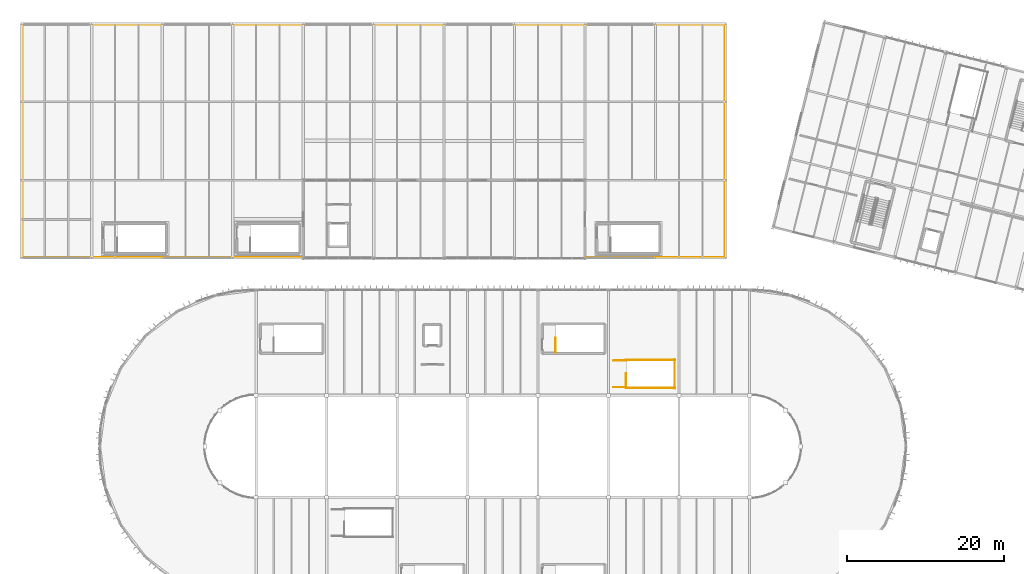
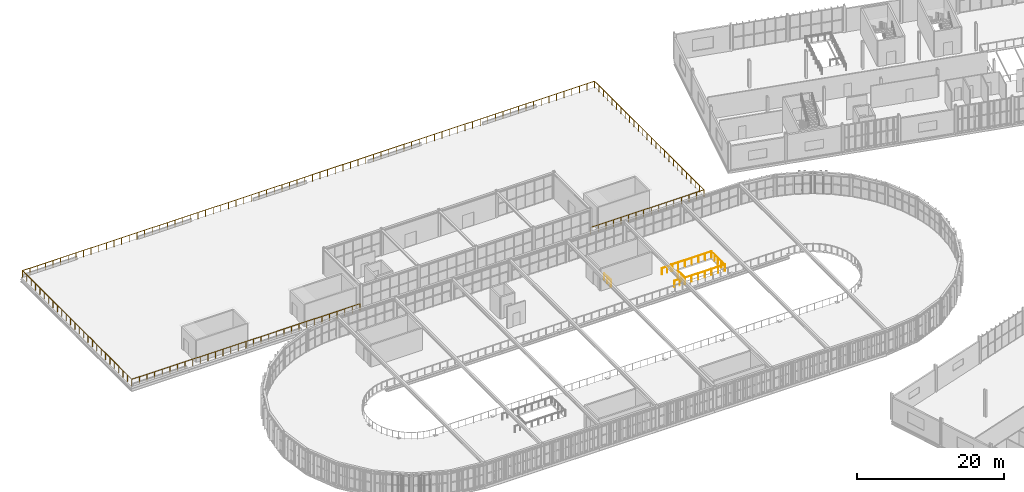
# One storey, part 147 of 152: 8 railings.
"""IFC4 building model written with IfcOpenShell, lengths in metres."""

from ifc_helpers import new_model, si_unit, derived_unit, direction, frame, origin, origin_2d, place, context, subcontext, project, spatial, circle, extrude, material, type_object, element, save


model = new_model("IFC4")

# Units and contexts
model_context = context("Model", 3, precision=1e-05, world=origin(), true_north=direction((0.0, 1.0)))
body_context = subcontext(model_context, "Body", "Model", "MODEL_VIEW")
ifc_project = project(units=[si_unit("LENGTHUNIT", "METRE"), si_unit("AREAUNIT", "SQUARE_METRE"), si_unit("VOLUMEUNIT", "CUBIC_METRE"), si_unit("PLANEANGLEUNIT", "RADIAN"), si_unit("MASSUNIT", "GRAM", prefix="KILO"), si_unit("THERMODYNAMICTEMPERATUREUNIT", "KELVIN"), si_unit("TIMEUNIT", "SECOND"), derived_unit("THERMALTRANSMITTANCEUNIT", [(si_unit("MASSUNIT", "GRAM", prefix="KILO"), 1), (si_unit("THERMODYNAMICTEMPERATUREUNIT", "KELVIN"), -1), (si_unit("TIMEUNIT", "SECOND"), -3)])], contexts=[model_context])

# Site, building, storey
site_placement = place(None, origin())
site = spatial("IfcSite", under=ifc_project, at=site_placement, CompositionType="ELEMENT")
building_placement = place(site_placement, origin())
building = spatial("IfcBuilding", under=site, at=building_placement, Name="Cambertide Market Hall", CompositionType="ELEMENT")
storey_placement = place(building_placement, frame((0.0, 0.0, 5.39990234375)))
storey = spatial("IfcBuildingStorey", under=building, at=storey_placement, Name="L02", CompositionType="ELEMENT", Elevation=5.39990234375)

# Railings
ifc_material_1 = material(Name="Stainless Steel Grade 316", Category="metal")
railing_type_1 = type_object("IfcRailingType", Name="Exterior Terrace Balustrade Guardrail 1120", PredefinedType="GUARDRAIL", material=ifc_material_1)
railing_1_placement = place(storey_placement, frame((47.89990234375, 96.14990234375, 0.0)))
element("IfcRailing", 1, at=railing_1_placement, inside=storey, type_object=railing_type_1, Name="Level 2 Planted Herb Terrace Guardrail", PredefinedType="GUARDRAIL", context=body_context, shape_type="SweptSolid", body=[
    extrude(circle(Radius=0.02392578125, at=origin_2d()), frame((0.0, 0.0, 1.09619140625), z_axis=(-1.0, 0.0, 0.0), x_axis=(0.0, -1.0, 0.0)), (0.0, 0.0, 1.0), 35.75),
    extrude(circle(Radius=0.02392578125, at=origin_2d()), frame((-35.75, 0.0, 1.09619140625), z_axis=(0.0, 1.0, 0.0), x_axis=(-1.0, 0.0, 0.0)), (0.0, 0.0, 1.0), 29.7001953125),
    extrude(circle(Radius=0.02392578125, at=origin_2d()), frame((-35.75, 29.7001953125, 1.09619140625), z_axis=(1.0, 0.0, 0.0), x_axis=(0.0, 1.0, 0.0)), (0.0, 0.0, 1.0), 89.7001953125),
    extrude(circle(Radius=0.02392578125, at=origin_2d()), frame((53.9501953125, 29.7001953125, 1.09619140625), z_axis=(0.0, -1.0, 0.0), x_axis=(1.0, 0.0, 0.0)), (0.0, 0.0, 1.0), 29.7001953125),
    extrude(circle(Radius=0.02392578125, at=origin_2d()), frame((53.9501953125, 0.0, 1.09619140625), z_axis=(-1.0, 0.0, 0.0), x_axis=(0.0, -1.0, 0.0)), (0.0, 0.0, 1.0), 17.75),
    extrude(circle(Radius=0.02099609375, at=origin_2d()), origin(), (0.0, 0.0, 1.0), 1.072021484375),
    extrude(circle(Radius=0.02099609375, at=origin_2d()), frame((-1.191650390625, 0.0, 0.0)), (0.0, 0.0, 1.0), 1.072021484375),
    extrude(circle(Radius=0.02099609375, at=origin_2d()), frame((-2.38330078125, 0.0, 0.0)), (0.0, 0.0, 1.0), 1.072021484375),
    extrude(circle(Radius=0.02099609375, at=origin_2d()), frame((-3.574951171875, 0.0, 0.0)), (0.0, 0.0, 1.0), 1.072021484375),
    extrude(circle(Radius=0.02099609375, at=origin_2d()), frame((-4.7666015625, 0.0, 0.0)), (0.0, 0.0, 1.0), 1.072021484375),
    extrude(circle(Radius=0.02099609375, at=origin_2d()), frame((-5.958251953125, 0.0, 0.0)), (0.0, 0.0, 1.0), 1.072021484375),
    extrude(circle(Radius=0.02099609375, at=origin_2d()), frame((-7.14990234375, 0.0, 0.0)), (0.0, 0.0, 1.0), 1.072021484375),
    extrude(circle(Radius=0.02099609375, at=origin_2d()), frame((-8.341552734375, 0.0, 0.0)), (0.0, 0.0, 1.0), 1.072021484375),
    extrude(circle(Radius=0.02099609375, at=origin_2d()), frame((-9.533447265625, 0.0, 0.0)), (0.0, 0.0, 1.0), 1.072021484375),
    extrude(circle(Radius=0.02099609375, at=origin_2d()), frame((-10.72509765625, 0.0, 0.0)), (0.0, 0.0, 1.0), 1.072021484375),
    extrude(circle(Radius=0.02099609375, at=origin_2d()), frame((-11.916748046875, 0.0, 0.0)), (0.0, 0.0, 1.0), 1.072021484375),
    extrude(circle(Radius=0.02099609375, at=origin_2d()), frame((-13.1083984375, 0.0, 0.0)), (0.0, 0.0, 1.0), 1.072021484375),
    extrude(circle(Radius=0.02099609375, at=origin_2d()), frame((-14.300048828125, 0.0, 0.0)), (0.0, 0.0, 1.0), 1.072021484375),
    extrude(circle(Radius=0.02099609375, at=origin_2d()), frame((-15.49169921875, 0.0, 0.0)), (0.0, 0.0, 1.0), 1.072021484375),
    extrude(circle(Radius=0.02099609375, at=origin_2d()), frame((-16.683349609375, 0.0, 0.0)), (0.0, 0.0, 1.0), 1.072021484375),
    extrude(circle(Radius=0.02099609375, at=origin_2d()), frame((-17.875, 0.0, 0.0)), (0.0, 0.0, 1.0), 1.072021484375),
    extrude(circle(Radius=0.02099609375, at=origin_2d()), frame((-19.066650390625, 0.0, 0.0)), (0.0, 0.0, 1.0), 1.072021484375),
    extrude(circle(Radius=0.02099609375, at=origin_2d()), frame((-20.25830078125, 0.0, 0.0)), (0.0, 0.0, 1.0), 1.072021484375),
    extrude(circle(Radius=0.02099609375, at=origin_2d()), frame((-21.449951171875, 0.0, 0.0)), (0.0, 0.0, 1.0), 1.072021484375),
    extrude(circle(Radius=0.02099609375, at=origin_2d()), frame((-22.6416015625, 0.0, 0.0)), (0.0, 0.0, 1.0), 1.072021484375),
    extrude(circle(Radius=0.02099609375, at=origin_2d()), frame((-23.833251953125, 0.0, 0.0)), (0.0, 0.0, 1.0), 1.072021484375),
    extrude(circle(Radius=0.02099609375, at=origin_2d()), frame((-25.02490234375, 0.0, 0.0)), (0.0, 0.0, 1.0), 1.072021484375),
    extrude(circle(Radius=0.02099609375, at=origin_2d()), frame((-26.216552734375, 0.0, 0.0)), (0.0, 0.0, 1.0), 1.072021484375),
    extrude(circle(Radius=0.02099609375, at=origin_2d()), frame((-27.408447265625, 0.0, 0.0)), (0.0, 0.0, 1.0), 1.072021484375),
    extrude(circle(Radius=0.02099609375, at=origin_2d()), frame((-28.60009765625, 0.0, 0.0)), (0.0, 0.0, 1.0), 1.072021484375),
    extrude(circle(Radius=0.02099609375, at=origin_2d()), frame((-29.791748046875, 0.0, 0.0)), (0.0, 0.0, 1.0), 1.072021484375),
    extrude(circle(Radius=0.02099609375, at=origin_2d()), frame((-30.9833984375, 0.0, 0.0)), (0.0, 0.0, 1.0), 1.072021484375),
    extrude(circle(Radius=0.02099609375, at=origin_2d()), frame((-32.175048828125, 0.0, 0.0)), (0.0, 0.0, 1.0), 1.072021484375),
    extrude(circle(Radius=0.02099609375, at=origin_2d()), frame((-33.36669921875, 0.0, 0.0)), (0.0, 0.0, 1.0), 1.072021484375),
    extrude(circle(Radius=0.02099609375, at=origin_2d()), frame((-34.558349609375, 0.0, 0.0)), (0.0, 0.0, 1.0), 1.072021484375),
    extrude(circle(Radius=0.02099609375, at=origin_2d()), frame((-35.75, 0.0, 0.0)), (0.0, 0.0, 1.0), 1.072021484375),
    extrude(circle(Radius=0.02099609375, at=origin_2d()), frame((-35.75, 1.18798828125, 0.0)), (0.0, 0.0, 1.0), 1.072021484375),
    extrude(circle(Radius=0.02099609375, at=origin_2d()), frame((-35.75, 2.3759765625, 0.0)), (0.0, 0.0, 1.0), 1.072021484375),
    extrude(circle(Radius=0.02099609375, at=origin_2d()), frame((-35.75, 3.56396484375, 0.0)), (0.0, 0.0, 1.0), 1.072021484375),
    extrude(circle(Radius=0.02099609375, at=origin_2d()), frame((-35.75, 4.751953125, 0.0)), (0.0, 0.0, 1.0), 1.072021484375),
    extrude(circle(Radius=0.02099609375, at=origin_2d()), frame((-35.75, 5.93994140625, 0.0)), (0.0, 0.0, 1.0), 1.072021484375),
    extrude(circle(Radius=0.02099609375, at=origin_2d()), frame((-35.75, 7.1279296875, 0.0)), (0.0, 0.0, 1.0), 1.072021484375),
    extrude(circle(Radius=0.02099609375, at=origin_2d()), frame((-35.75, 8.316162109375, 0.0)), (0.0, 0.0, 1.0), 1.072021484375),
    extrude(circle(Radius=0.02099609375, at=origin_2d()), frame((-35.75, 9.504150390625, 0.0)), (0.0, 0.0, 1.0), 1.072021484375),
    extrude(circle(Radius=0.02099609375, at=origin_2d()), frame((-35.75, 10.692138671875, 0.0)), (0.0, 0.0, 1.0), 1.072021484375),
    extrude(circle(Radius=0.02099609375, at=origin_2d()), frame((-35.75, 11.880126953125, 0.0)), (0.0, 0.0, 1.0), 1.072021484375),
    extrude(circle(Radius=0.02099609375, at=origin_2d()), frame((-35.75, 13.068115234375, 0.0)), (0.0, 0.0, 1.0), 1.072021484375),
    extrude(circle(Radius=0.02099609375, at=origin_2d()), frame((-35.75, 14.256103515625, 0.0)), (0.0, 0.0, 1.0), 1.072021484375),
    extrude(circle(Radius=0.02099609375, at=origin_2d()), frame((-35.75, 15.444091796875, 0.0)), (0.0, 0.0, 1.0), 1.072021484375),
    extrude(circle(Radius=0.02099609375, at=origin_2d()), frame((-35.75, 16.632080078125, 0.0)), (0.0, 0.0, 1.0), 1.072021484375),
    extrude(circle(Radius=0.02099609375, at=origin_2d()), frame((-35.75, 17.820068359375, 0.0)), (0.0, 0.0, 1.0), 1.072021484375),
    extrude(circle(Radius=0.02099609375, at=origin_2d()), frame((-35.75, 19.008056640625, 0.0)), (0.0, 0.0, 1.0), 1.072021484375),
    extrude(circle(Radius=0.02099609375, at=origin_2d()), frame((-35.75, 20.196044921875, 0.0)), (0.0, 0.0, 1.0), 1.072021484375),
    extrude(circle(Radius=0.02099609375, at=origin_2d()), frame((-35.75, 21.384033203125, 0.0)), (0.0, 0.0, 1.0), 1.072021484375),
    extrude(circle(Radius=0.02099609375, at=origin_2d()), frame((-35.75, 22.572265625, 0.0)), (0.0, 0.0, 1.0), 1.072021484375),
    extrude(circle(Radius=0.02099609375, at=origin_2d()), frame((-35.75, 23.76025390625, 0.0)), (0.0, 0.0, 1.0), 1.072021484375),
    extrude(circle(Radius=0.02099609375, at=origin_2d()), frame((-35.75, 24.9482421875, 0.0)), (0.0, 0.0, 1.0), 1.072021484375),
    extrude(circle(Radius=0.02099609375, at=origin_2d()), frame((-35.75, 26.13623046875, 0.0)), (0.0, 0.0, 1.0), 1.072021484375),
    extrude(circle(Radius=0.02099609375, at=origin_2d()), frame((-35.75, 27.32421875, 0.0)), (0.0, 0.0, 1.0), 1.072021484375),
    extrude(circle(Radius=0.02099609375, at=origin_2d()), frame((-35.75, 28.51220703125, 0.0)), (0.0, 0.0, 1.0), 1.072021484375),
    extrude(circle(Radius=0.02099609375, at=origin_2d()), frame((-35.75, 29.7001953125, 0.0)), (0.0, 0.0, 1.0), 1.072021484375),
    extrude(circle(Radius=0.02099609375, at=origin_2d()), frame((-34.553955078125, 29.7001953125, 0.0)), (0.0, 0.0, 1.0), 1.072021484375),
    extrude(circle(Radius=0.02099609375, at=origin_2d()), frame((-33.35791015625, 29.7001953125, 0.0)), (0.0, 0.0, 1.0), 1.072021484375),
    extrude(circle(Radius=0.02099609375, at=origin_2d()), frame((-32.162109375, 29.7001953125, 0.0)), (0.0, 0.0, 1.0), 1.072021484375),
    extrude(circle(Radius=0.02099609375, at=origin_2d()), frame((-30.966064453125, 29.7001953125, 0.0)), (0.0, 0.0, 1.0), 1.072021484375),
    extrude(circle(Radius=0.02099609375, at=origin_2d()), frame((-29.77001953125, 29.7001953125, 0.0)), (0.0, 0.0, 1.0), 1.072021484375),
    extrude(circle(Radius=0.02099609375, at=origin_2d()), frame((-28.573974609375, 29.7001953125, 0.0)), (0.0, 0.0, 1.0), 1.072021484375),
    extrude(circle(Radius=0.02099609375, at=origin_2d()), frame((-27.3779296875, 29.7001953125, 0.0)), (0.0, 0.0, 1.0), 1.072021484375),
    extrude(circle(Radius=0.02099609375, at=origin_2d()), frame((-26.181884765625, 29.7001953125, 0.0)), (0.0, 0.0, 1.0), 1.072021484375),
    extrude(circle(Radius=0.02099609375, at=origin_2d()), frame((-24.986083984375, 29.7001953125, 0.0)), (0.0, 0.0, 1.0), 1.072021484375),
    extrude(circle(Radius=0.02099609375, at=origin_2d()), frame((-23.7900390625, 29.7001953125, 0.0)), (0.0, 0.0, 1.0), 1.072021484375),
    extrude(circle(Radius=0.02099609375, at=origin_2d()), frame((-22.593994140625, 29.7001953125, 0.0)), (0.0, 0.0, 1.0), 1.072021484375),
    extrude(circle(Radius=0.02099609375, at=origin_2d()), frame((-21.39794921875, 29.7001953125, 0.0)), (0.0, 0.0, 1.0), 1.072021484375),
    extrude(circle(Radius=0.02099609375, at=origin_2d()), frame((-20.201904296875, 29.7001953125, 0.0)), (0.0, 0.0, 1.0), 1.072021484375),
    extrude(circle(Radius=0.02099609375, at=origin_2d()), frame((-19.005859375, 29.7001953125, 0.0)), (0.0, 0.0, 1.0), 1.072021484375),
    extrude(circle(Radius=0.02099609375, at=origin_2d()), frame((-17.81005859375, 29.7001953125, 0.0)), (0.0, 0.0, 1.0), 1.072021484375),
    extrude(circle(Radius=0.02099609375, at=origin_2d()), frame((-16.614013671875, 29.7001953125, 0.0)), (0.0, 0.0, 1.0), 1.072021484375),
    extrude(circle(Radius=0.02099609375, at=origin_2d()), frame((-15.41796875, 29.7001953125, 0.0)), (0.0, 0.0, 1.0), 1.072021484375),
    extrude(circle(Radius=0.02099609375, at=origin_2d()), frame((-14.221923828125, 29.7001953125, 0.0)), (0.0, 0.0, 1.0), 1.072021484375),
    extrude(circle(Radius=0.02099609375, at=origin_2d()), frame((-13.02587890625, 29.7001953125, 0.0)), (0.0, 0.0, 1.0), 1.072021484375),
    extrude(circle(Radius=0.02099609375, at=origin_2d()), frame((-11.829833984375, 29.7001953125, 0.0)), (0.0, 0.0, 1.0), 1.072021484375),
    extrude(circle(Radius=0.02099609375, at=origin_2d()), frame((-10.634033203125, 29.7001953125, 0.0)), (0.0, 0.0, 1.0), 1.072021484375),
    extrude(circle(Radius=0.02099609375, at=origin_2d()), frame((-9.43798828125, 29.7001953125, 0.0)), (0.0, 0.0, 1.0), 1.072021484375),
    extrude(circle(Radius=0.02099609375, at=origin_2d()), frame((-8.241943359375, 29.7001953125, 0.0)), (0.0, 0.0, 1.0), 1.072021484375),
    extrude(circle(Radius=0.02099609375, at=origin_2d()), frame((-7.0458984375, 29.7001953125, 0.0)), (0.0, 0.0, 1.0), 1.072021484375),
    extrude(circle(Radius=0.02099609375, at=origin_2d()), frame((-5.849853515625, 29.7001953125, 0.0)), (0.0, 0.0, 1.0), 1.072021484375),
    extrude(circle(Radius=0.02099609375, at=origin_2d()), frame((-4.654052734375, 29.7001953125, 0.0)), (0.0, 0.0, 1.0), 1.072021484375),
    extrude(circle(Radius=0.02099609375, at=origin_2d()), frame((-3.4580078125, 29.7001953125, 0.0)), (0.0, 0.0, 1.0), 1.072021484375),
    extrude(circle(Radius=0.02099609375, at=origin_2d()), frame((-2.261962890625, 29.7001953125, 0.0)), (0.0, 0.0, 1.0), 1.072021484375),
    extrude(circle(Radius=0.02099609375, at=origin_2d()), frame((-1.06591796875, 29.7001953125, 0.0)), (0.0, 0.0, 1.0), 1.072021484375),
    extrude(circle(Radius=0.02099609375, at=origin_2d()), frame((0.130126953125, 29.7001953125, 0.0)), (0.0, 0.0, 1.0), 1.072021484375),
    extrude(circle(Radius=0.02099609375, at=origin_2d()), frame((1.326171875, 29.7001953125, 0.0)), (0.0, 0.0, 1.0), 1.072021484375),
    extrude(circle(Radius=0.02099609375, at=origin_2d()), frame((2.52197265625, 29.7001953125, 0.0)), (0.0, 0.0, 1.0), 1.072021484375),
    extrude(circle(Radius=0.02099609375, at=origin_2d()), frame((3.718017578125, 29.7001953125, 0.0)), (0.0, 0.0, 1.0), 1.072021484375),
    extrude(circle(Radius=0.02099609375, at=origin_2d()), frame((4.9140625, 29.7001953125, 0.0)), (0.0, 0.0, 1.0), 1.072021484375),
    extrude(circle(Radius=0.02099609375, at=origin_2d()), frame((6.110107421875, 29.7001953125, 0.0)), (0.0, 0.0, 1.0), 1.072021484375),
    extrude(circle(Radius=0.02099609375, at=origin_2d()), frame((7.30615234375, 29.7001953125, 0.0)), (0.0, 0.0, 1.0), 1.072021484375),
    extrude(circle(Radius=0.02099609375, at=origin_2d()), frame((8.502197265625, 29.7001953125, 0.0)), (0.0, 0.0, 1.0), 1.072021484375),
    extrude(circle(Radius=0.02099609375, at=origin_2d()), frame((9.697998046875, 29.7001953125, 0.0)), (0.0, 0.0, 1.0), 1.072021484375),
    extrude(circle(Radius=0.02099609375, at=origin_2d()), frame((10.89404296875, 29.7001953125, 0.0)), (0.0, 0.0, 1.0), 1.072021484375),
    extrude(circle(Radius=0.02099609375, at=origin_2d()), frame((12.090087890625, 29.7001953125, 0.0)), (0.0, 0.0, 1.0), 1.072021484375),
    extrude(circle(Radius=0.02099609375, at=origin_2d()), frame((13.2861328125, 29.7001953125, 0.0)), (0.0, 0.0, 1.0), 1.072021484375),
    extrude(circle(Radius=0.02099609375, at=origin_2d()), frame((14.482177734375, 29.7001953125, 0.0)), (0.0, 0.0, 1.0), 1.072021484375),
    extrude(circle(Radius=0.02099609375, at=origin_2d()), frame((15.67822265625, 29.7001953125, 0.0)), (0.0, 0.0, 1.0), 1.072021484375),
    extrude(circle(Radius=0.02099609375, at=origin_2d()), frame((16.8740234375, 29.7001953125, 0.0)), (0.0, 0.0, 1.0), 1.072021484375),
    extrude(circle(Radius=0.02099609375, at=origin_2d()), frame((18.070068359375, 29.7001953125, 0.0)), (0.0, 0.0, 1.0), 1.072021484375),
    extrude(circle(Radius=0.02099609375, at=origin_2d()), frame((19.26611328125, 29.7001953125, 0.0)), (0.0, 0.0, 1.0), 1.072021484375),
    extrude(circle(Radius=0.02099609375, at=origin_2d()), frame((20.462158203125, 29.7001953125, 0.0)), (0.0, 0.0, 1.0), 1.072021484375),
    extrude(circle(Radius=0.02099609375, at=origin_2d()), frame((21.658203125, 29.7001953125, 0.0)), (0.0, 0.0, 1.0), 1.072021484375),
    extrude(circle(Radius=0.02099609375, at=origin_2d()), frame((22.854248046875, 29.7001953125, 0.0)), (0.0, 0.0, 1.0), 1.072021484375),
    extrude(circle(Radius=0.02099609375, at=origin_2d()), frame((24.050048828125, 29.7001953125, 0.0)), (0.0, 0.0, 1.0), 1.072021484375),
    extrude(circle(Radius=0.02099609375, at=origin_2d()), frame((25.24609375, 29.7001953125, 0.0)), (0.0, 0.0, 1.0), 1.072021484375),
    extrude(circle(Radius=0.02099609375, at=origin_2d()), frame((26.442138671875, 29.7001953125, 0.0)), (0.0, 0.0, 1.0), 1.072021484375),
    extrude(circle(Radius=0.02099609375, at=origin_2d()), frame((27.63818359375, 29.7001953125, 0.0)), (0.0, 0.0, 1.0), 1.072021484375),
    extrude(circle(Radius=0.02099609375, at=origin_2d()), frame((28.834228515625, 29.7001953125, 0.0)), (0.0, 0.0, 1.0), 1.072021484375),
    extrude(circle(Radius=0.02099609375, at=origin_2d()), frame((30.030029296875, 29.7001953125, 0.0)), (0.0, 0.0, 1.0), 1.072021484375),
    extrude(circle(Radius=0.02099609375, at=origin_2d()), frame((31.22607421875, 29.7001953125, 0.0)), (0.0, 0.0, 1.0), 1.072021484375),
    extrude(circle(Radius=0.02099609375, at=origin_2d()), frame((32.422119140625, 29.7001953125, 0.0)), (0.0, 0.0, 1.0), 1.072021484375),
    extrude(circle(Radius=0.02099609375, at=origin_2d()), frame((33.6181640625, 29.7001953125, 0.0)), (0.0, 0.0, 1.0), 1.072021484375),
    extrude(circle(Radius=0.02099609375, at=origin_2d()), frame((34.814208984375, 29.7001953125, 0.0)), (0.0, 0.0, 1.0), 1.072021484375),
    extrude(circle(Radius=0.02099609375, at=origin_2d()), frame((36.01025390625, 29.7001953125, 0.0)), (0.0, 0.0, 1.0), 1.072021484375),
    extrude(circle(Radius=0.02099609375, at=origin_2d()), frame((37.2060546875, 29.7001953125, 0.0)), (0.0, 0.0, 1.0), 1.072021484375),
    extrude(circle(Radius=0.02099609375, at=origin_2d()), frame((38.402099609375, 29.7001953125, 0.0)), (0.0, 0.0, 1.0), 1.072021484375),
    extrude(circle(Radius=0.02099609375, at=origin_2d()), frame((39.59814453125, 29.7001953125, 0.0)), (0.0, 0.0, 1.0), 1.072021484375),
    extrude(circle(Radius=0.02099609375, at=origin_2d()), frame((40.794189453125, 29.7001953125, 0.0)), (0.0, 0.0, 1.0), 1.072021484375),
    extrude(circle(Radius=0.02099609375, at=origin_2d()), frame((41.990234375, 29.7001953125, 0.0)), (0.0, 0.0, 1.0), 1.072021484375),
    extrude(circle(Radius=0.02099609375, at=origin_2d()), frame((43.186279296875, 29.7001953125, 0.0)), (0.0, 0.0, 1.0), 1.072021484375),
    extrude(circle(Radius=0.02099609375, at=origin_2d()), frame((44.382080078125, 29.7001953125, 0.0)), (0.0, 0.0, 1.0), 1.072021484375),
    extrude(circle(Radius=0.02099609375, at=origin_2d()), frame((45.578125, 29.7001953125, 0.0)), (0.0, 0.0, 1.0), 1.072021484375),
    extrude(circle(Radius=0.02099609375, at=origin_2d()), frame((46.774169921875, 29.7001953125, 0.0)), (0.0, 0.0, 1.0), 1.072021484375),
    extrude(circle(Radius=0.02099609375, at=origin_2d()), frame((47.97021484375, 29.7001953125, 0.0)), (0.0, 0.0, 1.0), 1.072021484375),
    extrude(circle(Radius=0.02099609375, at=origin_2d()), frame((49.166259765625, 29.7001953125, 0.0)), (0.0, 0.0, 1.0), 1.072021484375),
    extrude(circle(Radius=0.02099609375, at=origin_2d()), frame((50.3623046875, 29.7001953125, 0.0)), (0.0, 0.0, 1.0), 1.072021484375),
    extrude(circle(Radius=0.02099609375, at=origin_2d()), frame((51.55810546875, 29.7001953125, 0.0)), (0.0, 0.0, 1.0), 1.072021484375),
    extrude(circle(Radius=0.02099609375, at=origin_2d()), frame((52.754150390625, 29.7001953125, 0.0)), (0.0, 0.0, 1.0), 1.072021484375),
    extrude(circle(Radius=0.02099609375, at=origin_2d()), frame((53.9501953125, 29.7001953125, 0.0)), (0.0, 0.0, 1.0), 1.072021484375),
    extrude(circle(Radius=0.02099609375, at=origin_2d()), frame((53.9501953125, 28.51220703125, 0.0)), (0.0, 0.0, 1.0), 1.072021484375),
    extrude(circle(Radius=0.02099609375, at=origin_2d()), frame((53.9501953125, 27.32421875, 0.0)), (0.0, 0.0, 1.0), 1.072021484375),
    extrude(circle(Radius=0.02099609375, at=origin_2d()), frame((53.9501953125, 26.13623046875, 0.0)), (0.0, 0.0, 1.0), 1.072021484375),
    extrude(circle(Radius=0.02099609375, at=origin_2d()), frame((53.9501953125, 24.9482421875, 0.0)), (0.0, 0.0, 1.0), 1.072021484375),
    extrude(circle(Radius=0.02099609375, at=origin_2d()), frame((53.9501953125, 23.76025390625, 0.0)), (0.0, 0.0, 1.0), 1.072021484375),
    extrude(circle(Radius=0.02099609375, at=origin_2d()), frame((53.9501953125, 22.572265625, 0.0)), (0.0, 0.0, 1.0), 1.072021484375),
    extrude(circle(Radius=0.02099609375, at=origin_2d()), frame((53.9501953125, 21.384033203125, 0.0)), (0.0, 0.0, 1.0), 1.072021484375),
    extrude(circle(Radius=0.02099609375, at=origin_2d()), frame((53.9501953125, 20.196044921875, 0.0)), (0.0, 0.0, 1.0), 1.072021484375),
    extrude(circle(Radius=0.02099609375, at=origin_2d()), frame((53.9501953125, 19.008056640625, 0.0)), (0.0, 0.0, 1.0), 1.072021484375),
    extrude(circle(Radius=0.02099609375, at=origin_2d()), frame((53.9501953125, 17.820068359375, 0.0)), (0.0, 0.0, 1.0), 1.072021484375),
    extrude(circle(Radius=0.02099609375, at=origin_2d()), frame((53.9501953125, 16.632080078125, 0.0)), (0.0, 0.0, 1.0), 1.072021484375),
    extrude(circle(Radius=0.02099609375, at=origin_2d()), frame((53.9501953125, 15.444091796875, 0.0)), (0.0, 0.0, 1.0), 1.072021484375),
    extrude(circle(Radius=0.02099609375, at=origin_2d()), frame((53.9501953125, 14.256103515625, 0.0)), (0.0, 0.0, 1.0), 1.072021484375),
    extrude(circle(Radius=0.02099609375, at=origin_2d()), frame((53.9501953125, 13.068115234375, 0.0)), (0.0, 0.0, 1.0), 1.072021484375),
    extrude(circle(Radius=0.02099609375, at=origin_2d()), frame((53.9501953125, 11.880126953125, 0.0)), (0.0, 0.0, 1.0), 1.072021484375),
    extrude(circle(Radius=0.02099609375, at=origin_2d()), frame((53.9501953125, 10.692138671875, 0.0)), (0.0, 0.0, 1.0), 1.072021484375),
    extrude(circle(Radius=0.02099609375, at=origin_2d()), frame((53.9501953125, 9.504150390625, 0.0)), (0.0, 0.0, 1.0), 1.072021484375),
    extrude(circle(Radius=0.02099609375, at=origin_2d()), frame((53.9501953125, 8.316162109375, 0.0)), (0.0, 0.0, 1.0), 1.072021484375),
    extrude(circle(Radius=0.02099609375, at=origin_2d()), frame((53.9501953125, 7.1279296875, 0.0)), (0.0, 0.0, 1.0), 1.072021484375),
    extrude(circle(Radius=0.02099609375, at=origin_2d()), frame((53.9501953125, 5.93994140625, 0.0)), (0.0, 0.0, 1.0), 1.072021484375),
    extrude(circle(Radius=0.02099609375, at=origin_2d()), frame((53.9501953125, 4.751953125, 0.0)), (0.0, 0.0, 1.0), 1.072021484375),
    extrude(circle(Radius=0.02099609375, at=origin_2d()), frame((53.9501953125, 3.56396484375, 0.0)), (0.0, 0.0, 1.0), 1.072021484375),
    extrude(circle(Radius=0.02099609375, at=origin_2d()), frame((53.9501953125, 2.3759765625, 0.0)), (0.0, 0.0, 1.0), 1.072021484375),
    extrude(circle(Radius=0.02099609375, at=origin_2d()), frame((53.9501953125, 1.18798828125, 0.0)), (0.0, 0.0, 1.0), 1.072021484375),
    extrude(circle(Radius=0.02099609375, at=origin_2d()), frame((53.9501953125, 0.0, 0.0)), (0.0, 0.0, 1.0), 1.072021484375),
    extrude(circle(Radius=0.02099609375, at=origin_2d()), frame((52.766845703125, 0.0, 0.0)), (0.0, 0.0, 1.0), 1.072021484375),
    extrude(circle(Radius=0.02099609375, at=origin_2d()), frame((51.58349609375, 0.0, 0.0)), (0.0, 0.0, 1.0), 1.072021484375),
    extrude(circle(Radius=0.02099609375, at=origin_2d()), frame((50.400146484375, 0.0, 0.0)), (0.0, 0.0, 1.0), 1.072021484375),
    extrude(circle(Radius=0.02099609375, at=origin_2d()), frame((49.216796875, 0.0, 0.0)), (0.0, 0.0, 1.0), 1.072021484375),
    extrude(circle(Radius=0.02099609375, at=origin_2d()), frame((48.033447265625, 0.0, 0.0)), (0.0, 0.0, 1.0), 1.072021484375),
    extrude(circle(Radius=0.02099609375, at=origin_2d()), frame((46.85009765625, 0.0, 0.0)), (0.0, 0.0, 1.0), 1.072021484375),
    extrude(circle(Radius=0.02099609375, at=origin_2d()), frame((45.666748046875, 0.0, 0.0)), (0.0, 0.0, 1.0), 1.072021484375),
    extrude(circle(Radius=0.02099609375, at=origin_2d()), frame((44.483642578125, 0.0, 0.0)), (0.0, 0.0, 1.0), 1.072021484375),
    extrude(circle(Radius=0.02099609375, at=origin_2d()), frame((43.30029296875, 0.0, 0.0)), (0.0, 0.0, 1.0), 1.072021484375),
    extrude(circle(Radius=0.02099609375, at=origin_2d()), frame((42.116943359375, 0.0, 0.0)), (0.0, 0.0, 1.0), 1.072021484375),
    extrude(circle(Radius=0.02099609375, at=origin_2d()), frame((40.93359375, 0.0, 0.0)), (0.0, 0.0, 1.0), 1.072021484375),
    extrude(circle(Radius=0.02099609375, at=origin_2d()), frame((39.750244140625, 0.0, 0.0)), (0.0, 0.0, 1.0), 1.072021484375),
    extrude(circle(Radius=0.02099609375, at=origin_2d()), frame((38.56689453125, 0.0, 0.0)), (0.0, 0.0, 1.0), 1.072021484375),
    extrude(circle(Radius=0.02099609375, at=origin_2d()), frame((37.383544921875, 0.0, 0.0)), (0.0, 0.0, 1.0), 1.072021484375),
    extrude(circle(Radius=0.02099609375, at=origin_2d()), frame((36.2001953125, 0.0, 0.0)), (0.0, 0.0, 1.0), 1.072021484375),
])
ifc_material_2 = material(Name="Stainless Steel Grade 316", Category="metal")
railing_type_2 = type_object("IfcRailingType", Name="Stairwell Inner Guardrail 1100", PredefinedType="GUARDRAIL", material=ifc_material_2)
for number, where, name in (
    (2, (80.25, 84.0, 0.0), "Level 2 ST-01B top well guard 1"),
    (3, (89.25, 79.5, 0.0), "Level 2 ST-11 top well guard 1"),
):
    element("IfcRailing", number, at=place(storey_placement, frame(where)), inside=storey, type_object=railing_type_2, Name=name, PredefinedType="GUARDRAIL", context=body_context, shape_type="SweptSolid", body=[
        extrude(circle(Radius=0.02392578125, at=origin_2d()), frame((0.0, 0.0, 1.076171875), z_axis=(0.0, 1.0, 0.0), x_axis=(-1.0, 0.0, 0.0)), (0.0, 0.0, 1.0), 1.85009765625),
        extrude(circle(Radius=0.02099609375, at=origin_2d()), origin(), (0.0, 0.0, 1.0), 1.052001953125),
        extrude(circle(Radius=0.02099609375, at=origin_2d()), frame((0.0, 0.925048828125, 0.0)), (0.0, 0.0, 1.0), 1.052001953125),
        extrude(circle(Radius=0.02099609375, at=origin_2d()), frame((0.0, 1.85009765625, 0.0)), (0.0, 0.0, 1.0), 1.052001953125),
    ])
for number, where, name in (
    (4, (89.199951171875, 79.449951171875, 0.0), "Level 2 ST-11 top well guard 2"),
    (5, (89.199951171875, 83.050048828125, 0.0), "Level 2 ST-11 top well guard 3"),
):
    element("IfcRailing", number, at=place(storey_placement, frame(where)), inside=storey, type_object=railing_type_2, Name=name, PredefinedType="GUARDRAIL", context=body_context, shape_type="SweptSolid", body=[
        extrude(circle(Radius=0.02392578125, at=origin_2d()), frame((0.0, 0.0, 1.076171875), z_axis=(1.0, 0.0, 0.0), x_axis=(0.0, 1.0, 0.0)), (0.0, 0.0, 1.0), 6.300048828125),
        extrude(circle(Radius=0.02099609375, at=origin_2d()), origin(), (0.0, 0.0, 1.0), 1.052001953125),
        extrude(circle(Radius=0.02099609375, at=origin_2d()), frame((1.050048828125, 0.0, 0.0)), (0.0, 0.0, 1.0), 1.052001953125),
        extrude(circle(Radius=0.02099609375, at=origin_2d()), frame((2.10009765625, 0.0, 0.0)), (0.0, 0.0, 1.0), 1.052001953125),
        extrude(circle(Radius=0.02099609375, at=origin_2d()), frame((3.14990234375, 0.0, 0.0)), (0.0, 0.0, 1.0), 1.052001953125),
        extrude(circle(Radius=0.02099609375, at=origin_2d()), frame((4.199951171875, 0.0, 0.0)), (0.0, 0.0, 1.0), 1.052001953125),
        extrude(circle(Radius=0.02099609375, at=origin_2d()), frame((5.25, 0.0, 0.0)), (0.0, 0.0, 1.0), 1.052001953125),
        extrude(circle(Radius=0.02099609375, at=origin_2d()), frame((6.300048828125, 0.0, 0.0)), (0.0, 0.0, 1.0), 1.052001953125),
    ])
railing_2_placement = place(storey_placement, frame((95.449951171875, 79.39990234375, 0.0)))
element("IfcRailing", 6, at=railing_2_placement, inside=storey, type_object=railing_type_2, Name="Level 2 ST-11 top well guard 4", PredefinedType="GUARDRAIL", context=body_context, shape_type="SweptSolid", body=[
    extrude(circle(Radius=0.02392578125, at=origin_2d()), frame((0.0, 0.0, 1.076171875), z_axis=(0.0, 1.0, 0.0), x_axis=(-1.0, 0.0, 0.0)), (0.0, 0.0, 1.0), 3.7001953125),
    extrude(circle(Radius=0.02099609375, at=origin_2d()), origin(), (0.0, 0.0, 1.0), 1.052001953125),
    extrude(circle(Radius=0.02099609375, at=origin_2d()), frame((0.0, 0.925048828125, 0.0)), (0.0, 0.0, 1.0), 1.052001953125),
    extrude(circle(Radius=0.02099609375, at=origin_2d()), frame((0.0, 1.85009765625, 0.0)), (0.0, 0.0, 1.0), 1.052001953125),
    extrude(circle(Radius=0.02099609375, at=origin_2d()), frame((0.0, 2.775146484375, 0.0)), (0.0, 0.0, 1.0), 1.052001953125),
    extrude(circle(Radius=0.02099609375, at=origin_2d()), frame((0.0, 3.7001953125, 0.0)), (0.0, 0.0, 1.0), 1.052001953125),
])
for number, where, name in (
    (7, (87.64990234375, 79.550048828125, 0.0), "Level 2 ST-11 top well guard 5"),
    (8, (87.64990234375, 82.949951171875, 0.0), "Level 2 ST-11 top well guard 6"),
):
    element("IfcRailing", number, at=place(storey_placement, frame(where)), inside=storey, type_object=railing_type_2, Name=name, PredefinedType="GUARDRAIL", context=body_context, shape_type="SweptSolid", body=[
        extrude(circle(Radius=0.02392578125, at=origin_2d()), frame((0.0, 0.0, 1.076171875), z_axis=(1.0, 0.0, 0.0), x_axis=(0.0, 1.0, 0.0)), (0.0, 0.0, 1.0), 1.650146484375),
        extrude(circle(Radius=0.02099609375, at=origin_2d()), origin(), (0.0, 0.0, 1.0), 1.052001953125),
        extrude(circle(Radius=0.02099609375, at=origin_2d()), frame((0.8251953125, 0.0, 0.0)), (0.0, 0.0, 1.0), 1.052001953125),
        extrude(circle(Radius=0.02099609375, at=origin_2d()), frame((1.650146484375, 0.0, 0.0)), (0.0, 0.0, 1.0), 1.052001953125),
    ])

save(model, "model.ifc")
